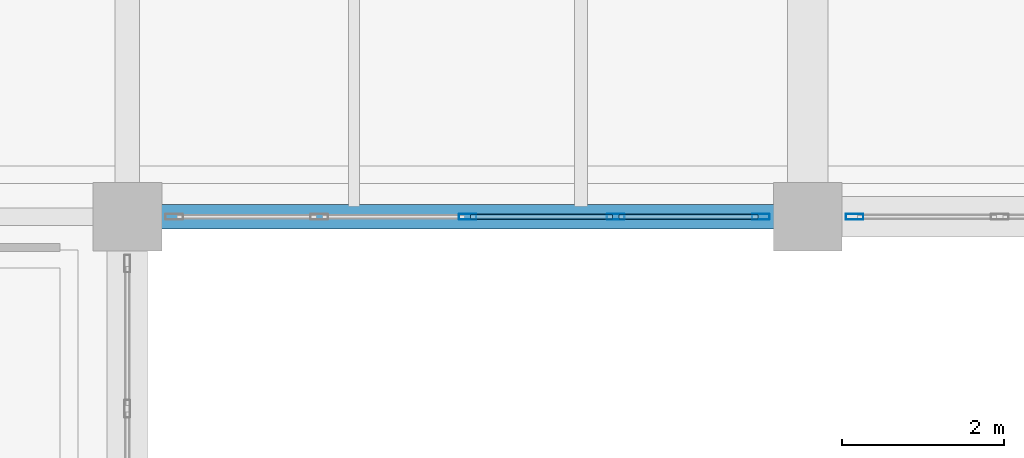
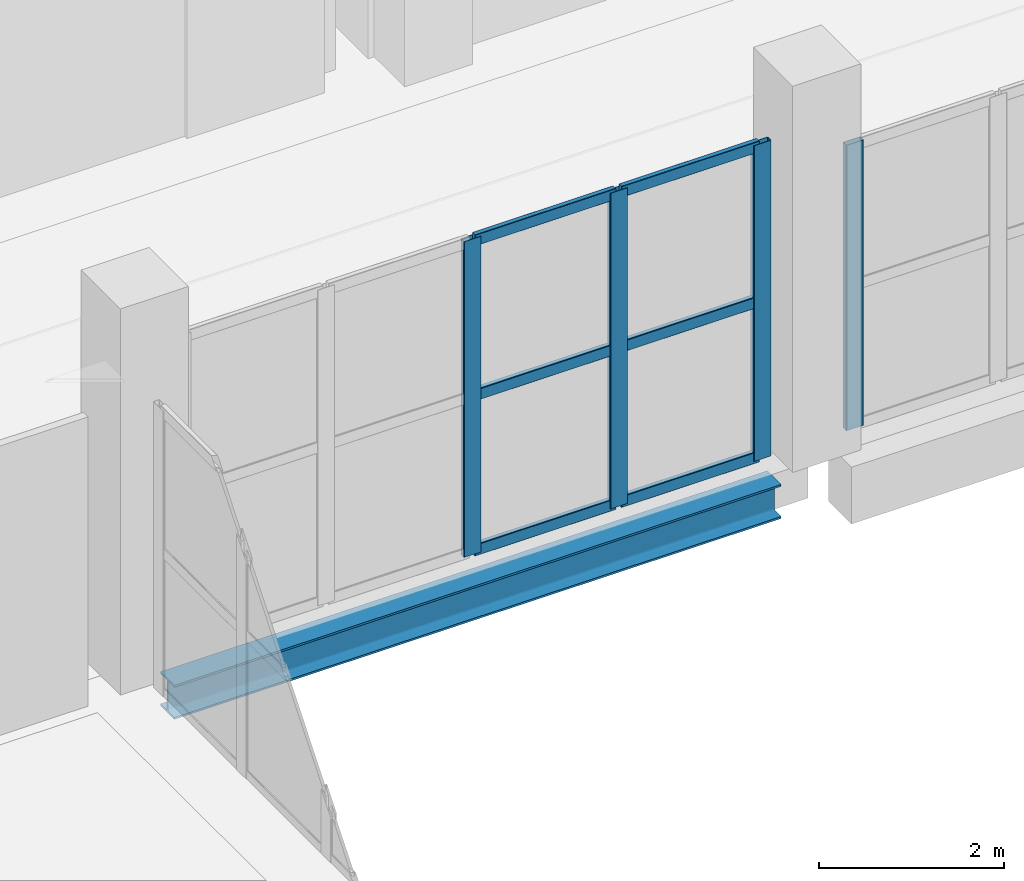
# One storey, part 34 of 66: 10 members, 1 beam, 2 elements without a shape of their own.
"""IFC4 building model written with IfcOpenShell, lengths in metres."""

from ifc_helpers import new_model, si_unit, direction, frame, origin, origin_2d, place, context, subcontext, project, spatial, hollow_rectangle, i_section, extrude, material, layer, layer_set, material_profile, profile_set, type_object, element, aggregate, save


model = new_model("IFC4")

# Units and contexts
model_context = context("Model", 3, precision=1e-05, world=origin(), true_north=direction((0.0, 1.0)))
body_context = subcontext(model_context, "Body", "Model", "MODEL_VIEW")
ifc_project = project(units=[si_unit("LENGTHUNIT", "METRE"), si_unit("AREAUNIT", "SQUARE_METRE"), si_unit("VOLUMEUNIT", "CUBIC_METRE"), si_unit("PLANEANGLEUNIT", "RADIAN"), si_unit("MASSUNIT", "GRAM", prefix="KILO")], contexts=[model_context])

# Site, building, storey
site_placement = place(None, origin())
site = spatial("IfcSite", under=ifc_project, at=site_placement, CompositionType="ELEMENT")
building_placement = place(site_placement, origin())
building = spatial("IfcBuilding", under=site, at=building_placement, Name="Zulmaris Art Gallery", CompositionType="ELEMENT")
storey_placement = place(building_placement, frame((0.0, 0.0, 5.39990234375)))
storey = spatial("IfcBuildingStorey", under=building, at=storey_placement, Name="L01", CompositionType="ELEMENT", Elevation=5.39990234375)

# Beam
ifc_material_1 = material(Name="Steel S355J2", Category="steel")
ifc_material_profile_1 = material_profile(ifc_material_1, i_section(OverallWidth=0.300048828125, OverallDepth=0.449951171875, WebThickness=0.013916015625, FlangeThickness=0.02587890625, FilletRadius=0.027099609375, at=origin_2d()), Name="HEB 450")
ifc_profile_set_1 = profile_set([ifc_material_profile_1], Name="Steel S355J2")
beam_type = type_object("IfcBeamType", Name="BEAM-BM13", PredefinedType="BEAM", material=ifc_profile_set_1)
beam_placement = place(storey_placement, frame((158.81005859375, 58.800048828125, -0.554931640625), z_axis=(1.0, 0.0, 0.0), x_axis=(0.0, 1.0, 0.0)))
element("IfcBeam", 1, at=beam_placement, inside=storey, type_object=beam_type, Name="L01 X-girder (158.4..166.8, y=58.8)", PredefinedType="BEAM", context=body_context, shape_type="SweptSolid", body=[
    extrude(i_section(OverallWidth=0.300048828125, OverallDepth=0.449951171875, WebThickness=0.013916015625, FlangeThickness=0.02587890625, FilletRadius=0.027099609375, at=origin_2d()), origin(), (0.0, 0.0, 1.0), 7.579833984375),
])

# Curtain wall, members
ifc_material_2 = material(Name="Courtyard Artists Studio Curtain Wall", Category="aluminium")
ifc_layer = layer(ifc_material_2, 0.179931640625)
ifc_layer_set = layer_set([ifc_layer], Name="Courtyard Artists Studio Curtain Wall")
curtain_wall_type = type_object("IfcCurtainWallType", Name="CW-CW04", PredefinedType="NOTDEFINED", material=ifc_layer_set)
curtain_wall_1_placement = place(storey_placement, origin())
curtain_wall_1 = element("IfcCurtainWall", 2, at=curtain_wall_1_placement, inside=storey, type_object=curtain_wall_type, Name="L01 curtain wall 129", PredefinedType="NOTDEFINED")
ifc_material_3 = material(Name="Anodised Bronze Aluminium", Category="aluminium")
ifc_material_profile_2 = material_profile(ifc_material_3, hollow_rectangle(XDim=0.074951171875, YDim=0.219970703125, WallThickness=0.0048828125, InnerFilletRadius=0.007568359375, OuterFilletRadius=0.012451171875, at=origin_2d()), Name="ALU 75x220x5")
ifc_profile_set_2 = profile_set([ifc_material_profile_2], Name="Anodised Bronze Aluminium")
member_type_1 = type_object("IfcMemberType", Name="CWMUL-02", PredefinedType="MULLION", material=ifc_profile_set_2)
member_1_placement = place(storey_placement, frame((166.222412109375, 58.800048828125, 0.0), z_axis=(0.0, 0.0, 1.0), x_axis=(0.0, -1.0, 0.0)))
member_1 = element("IfcMember", 3, at=member_1_placement, type_object=member_type_1, Name="CW04 mullion 1", PredefinedType="MULLION", context=body_context, shape_type="SweptSolid", body=[
    extrude(hollow_rectangle(XDim=0.074951171875, YDim=0.219970703125, WallThickness=0.0048828125, InnerFilletRadius=0.007568359375, OuterFilletRadius=0.012451171875, at=origin_2d()), origin(), (0.0, 0.0, 1.0), 4.170166015625),
])
member_2_placement = place(storey_placement, frame((164.429931640625, 58.800048828125, 0.0), z_axis=(0.0, 0.0, 1.0), x_axis=(0.0, -1.0, 0.0)))
member_2 = element("IfcMember", 4, at=member_2_placement, type_object=member_type_1, Name="CW04 mullion 2", PredefinedType="MULLION", context=body_context, shape_type="SweptSolid", body=[
    extrude(hollow_rectangle(XDim=0.074951171875, YDim=0.219970703125, WallThickness=0.0048828125, InnerFilletRadius=0.007568359375, OuterFilletRadius=0.012451171875, at=origin_2d()), origin(), (0.0, 0.0, 1.0), 4.170166015625),
])
member_3_placement = place(storey_placement, frame((162.60009765625, 58.800048828125, 0.0), z_axis=(0.0, 0.0, 1.0), x_axis=(0.0, -1.0, 0.0)))
member_3 = element("IfcMember", 5, at=member_3_placement, type_object=member_type_1, Name="CW04 mullion 3", PredefinedType="MULLION", context=body_context, shape_type="SweptSolid", body=[
    extrude(hollow_rectangle(XDim=0.074951171875, YDim=0.219970703125, WallThickness=0.0048828125, InnerFilletRadius=0.007568359375, OuterFilletRadius=0.012451171875, at=origin_2d()), origin(), (0.0, 0.0, 1.0), 4.170166015625),
])

# Curtain wall, member
curtain_wall_2_placement = place(storey_placement, origin())
curtain_wall_2 = element("IfcCurtainWall", 6, at=curtain_wall_2_placement, inside=storey, type_object=curtain_wall_type, Name="L01 curtain wall 131", PredefinedType="NOTDEFINED")
member_4_placement = place(storey_placement, frame((167.37744140625, 58.800048828125, 0.0), z_axis=(0.0, 0.0, 1.0), x_axis=(0.0, -1.0, 0.0)))
member_4 = element("IfcMember", 7, at=member_4_placement, type_object=member_type_1, Name="CW04 mullion 5", PredefinedType="MULLION", context=body_context, shape_type="SweptSolid", body=[
    extrude(hollow_rectangle(XDim=0.074951171875, YDim=0.219970703125, WallThickness=0.0048828125, InnerFilletRadius=0.007568359375, OuterFilletRadius=0.012451171875, at=origin_2d()), origin(), (0.0, 0.0, 1.0), 3.77001953125),
])
aggregate(curtain_wall_2, [member_4])

# Member
ifc_material_profile_3 = material_profile(ifc_material_3, hollow_rectangle(XDim=0.06494140625, YDim=0.14990234375, WallThickness=0.00390625, InnerFilletRadius=0.006103515625, OuterFilletRadius=0.010009765625, at=origin_2d()), Name="ALU 65x150x4")
ifc_profile_set_3 = profile_set([ifc_material_profile_3], Name="Anodised Bronze Aluminium")
member_type_2 = type_object("IfcMemberType", Name="CWTRN-01", PredefinedType="USERDEFINED", material=ifc_profile_set_3)
member_5_placement = place(storey_placement, frame((166.18505859375, 58.800048828125, 0.03759765625), z_axis=(-1.0, 0.0, 0.0), x_axis=(0.0, -1.0, 0.0)))
member_5 = element("IfcMember", 8, at=member_5_placement, type_object=member_type_2, Name="CW04 transom 1.1", ObjectType="TRANSOM", PredefinedType="USERDEFINED", context=body_context, shape_type="SweptSolid", body=[
    extrude(hollow_rectangle(XDim=0.06494140625, YDim=0.14990234375, WallThickness=0.00390625, InnerFilletRadius=0.006103515625, OuterFilletRadius=0.010009765625, at=origin_2d()), origin(), (0.0, 0.0, 1.0), 1.717529296875),
])

member_6_placement = place(storey_placement, frame((166.18505859375, 58.800048828125, 2.085205078125), z_axis=(-1.0, 0.0, 0.0), x_axis=(0.0, -1.0, 0.0)))
member_6 = element("IfcMember", 9, at=member_6_placement, type_object=member_type_2, Name="CW04 transom 1.2", ObjectType="TRANSOM", PredefinedType="USERDEFINED", context=body_context, shape_type="SweptSolid", body=[
    extrude(hollow_rectangle(XDim=0.06494140625, YDim=0.14990234375, WallThickness=0.00390625, InnerFilletRadius=0.006103515625, OuterFilletRadius=0.010009765625, at=origin_2d()), origin(), (0.0, 0.0, 1.0), 1.717529296875),
])

member_7_placement = place(storey_placement, frame((166.18505859375, 58.800048828125, 4.132568359375), z_axis=(-1.0, 0.0, 0.0), x_axis=(0.0, -1.0, 0.0)))
member_7 = element("IfcMember", 10, at=member_7_placement, type_object=member_type_2, Name="CW04 transom 1.3", ObjectType="TRANSOM", PredefinedType="USERDEFINED", context=body_context, shape_type="SweptSolid", body=[
    extrude(hollow_rectangle(XDim=0.06494140625, YDim=0.14990234375, WallThickness=0.00390625, InnerFilletRadius=0.006103515625, OuterFilletRadius=0.010009765625, at=origin_2d()), origin(), (0.0, 0.0, 1.0), 1.717529296875),
])

member_8_placement = place(storey_placement, frame((164.392578125, 58.800048828125, 0.03759765625), z_axis=(-1.0, 0.0, 0.0), x_axis=(0.0, -1.0, 0.0)))
member_8 = element("IfcMember", 11, at=member_8_placement, type_object=member_type_2, Name="CW04 transom 2.1", ObjectType="TRANSOM", PredefinedType="USERDEFINED", context=body_context, shape_type="SweptSolid", body=[
    extrude(hollow_rectangle(XDim=0.06494140625, YDim=0.14990234375, WallThickness=0.00390625, InnerFilletRadius=0.006103515625, OuterFilletRadius=0.010009765625, at=origin_2d()), origin(), (0.0, 0.0, 1.0), 1.755126953125),
])

member_9_placement = place(storey_placement, frame((164.392578125, 58.800048828125, 2.085205078125), z_axis=(-1.0, 0.0, 0.0), x_axis=(0.0, -1.0, 0.0)))
member_9 = element("IfcMember", 12, at=member_9_placement, type_object=member_type_2, Name="CW04 transom 2.2", ObjectType="TRANSOM", PredefinedType="USERDEFINED", context=body_context, shape_type="SweptSolid", body=[
    extrude(hollow_rectangle(XDim=0.06494140625, YDim=0.14990234375, WallThickness=0.00390625, InnerFilletRadius=0.006103515625, OuterFilletRadius=0.010009765625, at=origin_2d()), origin(), (0.0, 0.0, 1.0), 1.755126953125),
])

member_10_placement = place(storey_placement, frame((164.392578125, 58.800048828125, 4.132568359375), z_axis=(-1.0, 0.0, 0.0), x_axis=(0.0, -1.0, 0.0)))
member_10 = element("IfcMember", 13, at=member_10_placement, type_object=member_type_2, Name="CW04 transom 2.3", ObjectType="TRANSOM", PredefinedType="USERDEFINED", context=body_context, shape_type="SweptSolid", body=[
    extrude(hollow_rectangle(XDim=0.06494140625, YDim=0.14990234375, WallThickness=0.00390625, InnerFilletRadius=0.006103515625, OuterFilletRadius=0.010009765625, at=origin_2d()), origin(), (0.0, 0.0, 1.0), 1.755126953125),
])

aggregate(curtain_wall_1, [member_1, member_2, member_3, member_5, member_6, member_7, member_8, member_9, member_10])

save(model, "model.ifc")
